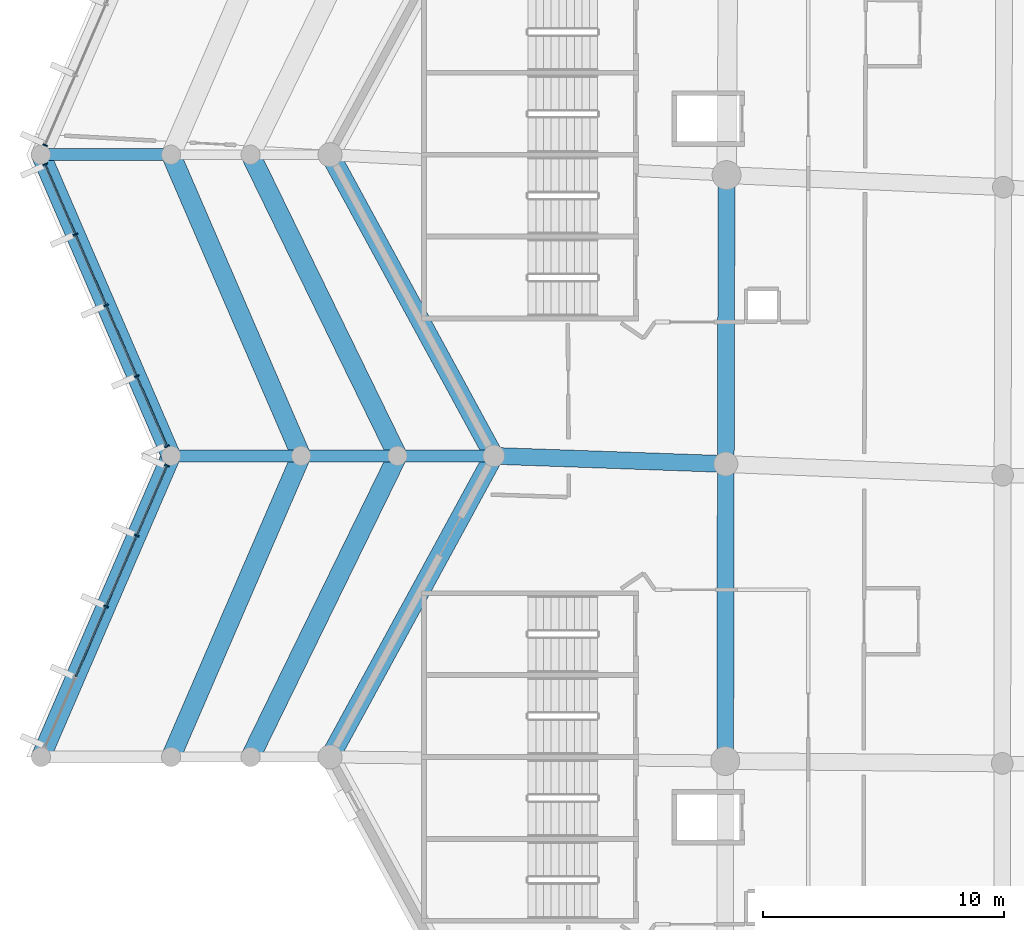
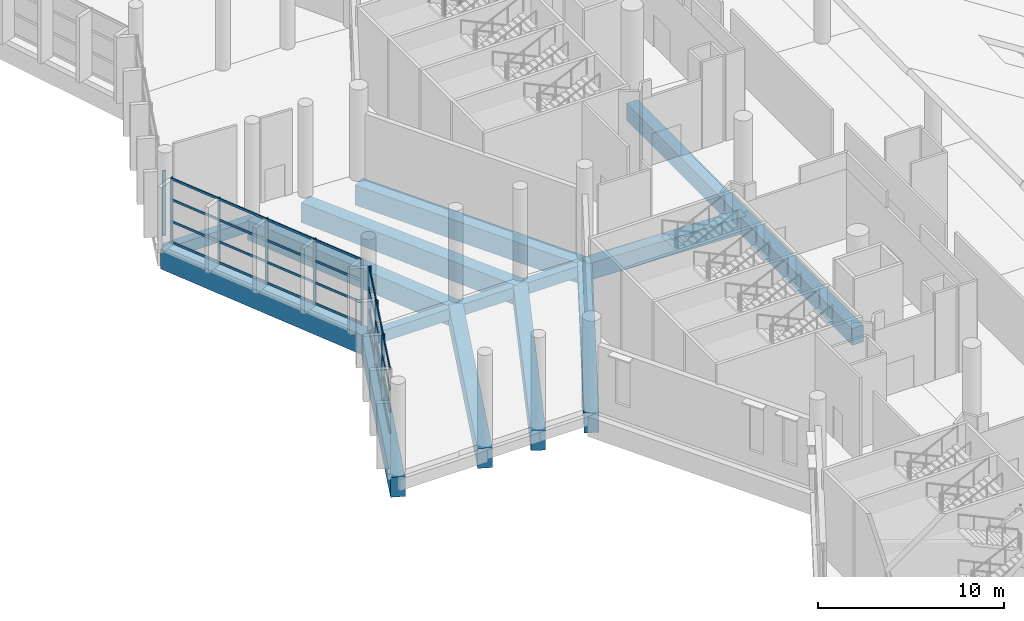
# One storey, part 53 of 249: 37 members, 15 beams, 3 elements without a shape of their own.
"""IFC4 building model written with IfcOpenShell, lengths in metres."""

from ifc_helpers import new_model, si_unit, direction, frame, origin, origin_2d, place, context, subcontext, project, spatial, rectangle, extrude, material, layer, layer_set, material_profile, profile_set, type_object, element, aggregate, save


model = new_model("IFC4")

# Units and contexts
model_context = context("Model", 3, precision=1e-05, world=origin(), true_north=direction((0.0, 1.0)))
body_context = subcontext(model_context, "Body", "Model", "MODEL_VIEW")
ifc_project = project(units=[si_unit("LENGTHUNIT", "METRE"), si_unit("AREAUNIT", "SQUARE_METRE"), si_unit("VOLUMEUNIT", "CUBIC_METRE"), si_unit("PLANEANGLEUNIT", "RADIAN"), si_unit("MASSUNIT", "GRAM", prefix="KILO")], contexts=[model_context])

# Site, building, storey
site_placement = place(None, origin())
site = spatial("IfcSite", under=ifc_project, at=site_placement, CompositionType="ELEMENT")
building_placement = place(site_placement, origin())
building = spatial("IfcBuilding", under=site, at=building_placement, Name="Meseta Stadium", CompositionType="ELEMENT")
storey_placement = place(building_placement, frame((0.0, 0.0, 12.0)))
storey = spatial("IfcBuildingStorey", under=building, at=storey_placement, Name="L02", CompositionType="ELEMENT", Elevation=12.0)

# Beams
ifc_material_1 = material(Name="Concrete C40/50", Category="concrete")
ifc_material_profile_1 = material_profile(ifc_material_1, rectangle(XDim=0.5, YDim=0.75, at=origin_2d()), Name="RC 500x750")
ifc_profile_set_1 = profile_set([ifc_material_profile_1], Name="Concrete C40/50")
beam_type_1 = type_object("IfcBeamType", Name="RC beam 500x750", PredefinedType="BEAM", material=ifc_profile_set_1)
beam_1_placement = place(storey_placement, frame((-108.0, 31.25, -0.72509765625), z_axis=(-1.0, 0.0, 0.0), x_axis=(0.0, -1.0, 0.0)))
element("IfcBeam", 1, at=beam_1_placement, inside=storey, type_object=beam_type_1, Name="L02 radial beam frame 30 line Q to O", PredefinedType="BEAM", context=body_context, shape_type="SweptSolid", body=[
    extrude(rectangle(XDim=0.5, YDim=0.75, at=origin_2d()), origin(), (0.0, 0.0, 1.0), 5.39990234375),
])
for number, where, z_axis, x_axis, name in (
    (2, (-94.60009765625, 18.75, -0.72509765625), (-1.0, 0.0, 0.0), (0.0, -1.0, 0.0), "L02 radial beam frame 31 line R to M"),
    (3, (-98.60009765625, 18.75, -0.72509765625), (-1.0, 0.0, 0.0), (0.0, -1.0, 0.0), "L02 radial beam frame 31 line M to Q"),
):
    element("IfcBeam", number, at=place(storey_placement, frame(where, z_axis=z_axis, x_axis=x_axis)), inside=storey, type_object=beam_type_1, Name=name, PredefinedType="BEAM", context=body_context, shape_type="SweptSolid", body=[
        extrude(rectangle(XDim=0.5, YDim=0.75, at=origin_2d()), origin(), (0.0, 0.0, 1.0), 4.0),
    ])
beam_2_placement = place(storey_placement, frame((-102.60009765625, 18.75, -0.72509765625), z_axis=(-1.0, 0.0, 0.0), x_axis=(0.0, -1.0, 0.0)))
element("IfcBeam", 4, at=beam_2_placement, inside=storey, type_object=beam_type_1, Name="L02 radial beam frame 31 line Q to O", PredefinedType="BEAM", context=body_context, shape_type="SweptSolid", body=[
    extrude(rectangle(XDim=0.5, YDim=0.75, at=origin_2d()), origin(), (0.0, 0.0, 1.0), 5.39990234375),
])
ifc_material_2 = material(Name="Concrete C40/50", Category="concrete")
ifc_material_profile_2 = material_profile(ifc_material_2, rectangle(XDim=0.699951171875, YDim=1.10009765625, at=origin_2d()), Name="RC 700x1100")
ifc_profile_set_2 = profile_set([ifc_material_profile_2], Name="Concrete C40/50")
beam_type_2 = type_object("IfcBeamType", Name="RC beam 700x1100", PredefinedType="BEAM", material=ifc_profile_set_2)
beam_3_placement = place(storey_placement, frame((-84.940673828125, 30.404052734375, -0.89990234375), z_axis=(-0.002707369213, -0.999996335069, 0.0), x_axis=(0.999996335069, -0.002707369213, 0.0)))
element("IfcBeam", 5, at=beam_3_placement, inside=storey, type_object=beam_type_2, Name="L02 ring beam frame 30 line P", PredefinedType="BEAM", context=body_context, shape_type="SweptSolid", body=[
    extrude(rectangle(XDim=0.699951171875, YDim=1.10009765625, at=origin_2d()), origin(), (0.0, 0.0, 1.0), 11.993408203125),
])
beam_4_placement = place(storey_placement, frame((-84.97314453125, 18.41064453125, -0.89990234375), z_axis=(-0.001980154927, -0.999998039491, 0.0), x_axis=(0.999998039491, -0.001980154927, 0.0)))
element("IfcBeam", 6, at=beam_4_placement, inside=storey, type_object=beam_type_2, Name="L02 ring beam frame 31 line P", PredefinedType="BEAM", context=body_context, shape_type="SweptSolid", body=[
    extrude(rectangle(XDim=0.699951171875, YDim=1.10009765625, at=origin_2d()), origin(), (0.0, 0.0, 1.0), 12.329345703125),
])
beam_5_placement = place(storey_placement, frame((-84.97314453125, 18.41064453125, -0.89990234375), z_axis=(-0.999379277506, 0.035228677108, 0.0), x_axis=(-0.035228677108, -0.999379277506, 0.0)))
element("IfcBeam", 7, at=beam_5_placement, inside=storey, type_object=beam_type_2, Name="L02 radial beam frame 31 line P to R", PredefinedType="BEAM", context=body_context, shape_type="SweptSolid", body=[
    extrude(rectangle(XDim=0.699951171875, YDim=1.10009765625, at=origin_2d()), origin(), (0.0, 0.0, 1.0), 9.6328125),
])
ifc_material_3 = material(Name="Concrete C40/50", Category="concrete")
ifc_material_profile_3 = material_profile(ifc_material_3, rectangle(XDim=0.800048828125, YDim=1.300048828125, at=origin_2d()), Name="RC 800x1300")
ifc_profile_set_3 = profile_set([ifc_material_profile_3], Name="Concrete C40/50")
beam_type_3 = type_object("IfcBeamType", Name="RC beam 800x1300", PredefinedType="BEAM", material=ifc_profile_set_3)
for number, where, z_axis, x_axis, name in (
    (8, (-101.39990234375, 31.25, -1.0), (0.47785649891, -0.878437912689, 0.0), (0.878437912689, 0.47785649891, 0.0), "L02 ring beam frame 30 line R"),
    (9, (-94.60009765625, 18.75, -1.0), (-0.47785649891, -0.878437912689, 0.0), (0.878437912689, -0.47785649891, 0.0), "L02 ring beam frame 31 line R"),
):
    element("IfcBeam", number, at=place(storey_placement, frame(where, z_axis=z_axis, x_axis=x_axis)), inside=storey, type_object=beam_type_3, Name=name, PredefinedType="BEAM", context=body_context, shape_type="SweptSolid", body=[
        extrude(rectangle(XDim=0.800048828125, YDim=1.300048828125, at=origin_2d()), origin(), (0.0, 0.0, 1.0), 14.229736328125),
    ])
beam_6_placement = place(storey_placement, frame((-104.699951171875, 31.25, -1.0), z_axis=(0.438556770405, -0.898703487882, 0.0), x_axis=(0.898703487882, 0.438556770405, 0.0)))
element("IfcBeam", 10, at=beam_6_placement, inside=storey, type_object=beam_type_3, Name="L02 ring beam frame 30 line M", PredefinedType="BEAM", context=body_context, shape_type="SweptSolid", body=[
    extrude(rectangle(XDim=0.800048828125, YDim=1.300048828125, at=origin_2d()), origin(), (0.0, 0.0, 1.0), 13.908935546875),
])
for number, where, z_axis, x_axis, name in (
    (11, (-108.0, 31.25, -1.0), (0.396570645327, -0.918004206562, 0.0), (0.918004206562, 0.396570645327, 0.0), "L02 ring beam frame 30 line Q"),
    (12, (-113.39990234375, 31.25, -1.0), (0.396570645327, -0.918004206562, 0.0), (0.918004206562, 0.396570645327, 0.0), "L02 ring beam frame 30 line O"),
):
    element("IfcBeam", number, at=place(storey_placement, frame(where, z_axis=z_axis, x_axis=x_axis)), inside=storey, type_object=beam_type_3, Name=name, PredefinedType="BEAM", context=body_context, shape_type="SweptSolid", body=[
        extrude(rectangle(XDim=0.800048828125, YDim=1.300048828125, at=origin_2d()), origin(), (0.0, 0.0, 1.0), 13.616455078125),
    ])
beam_7_placement = place(storey_placement, frame((-98.60009765625, 18.75, -1.0), z_axis=(-0.438556770405, -0.898703487882, 0.0), x_axis=(0.898703487882, -0.438556770405, 0.0)))
element("IfcBeam", 13, at=beam_7_placement, inside=storey, type_object=beam_type_3, Name="L02 ring beam frame 31 line M", PredefinedType="BEAM", context=body_context, shape_type="SweptSolid", body=[
    extrude(rectangle(XDim=0.800048828125, YDim=1.300048828125, at=origin_2d()), origin(), (0.0, 0.0, 1.0), 13.908935546875),
])
for number, where, z_axis, x_axis, name in (
    (14, (-102.60009765625, 18.75, -1.0), (-0.396570645327, -0.918004206562, 0.0), (0.918004206562, -0.396570645327, 0.0), "L02 ring beam frame 31 line Q"),
    (15, (-108.0, 18.75, -1.0), (-0.396570645327, -0.918004206562, 0.0), (0.918004206562, -0.396570645327, 0.0), "L02 ring beam frame 31 line O"),
):
    element("IfcBeam", number, at=place(storey_placement, frame(where, z_axis=z_axis, x_axis=x_axis)), inside=storey, type_object=beam_type_3, Name=name, PredefinedType="BEAM", context=body_context, shape_type="SweptSolid", body=[
        extrude(rectangle(XDim=0.800048828125, YDim=1.300048828125, at=origin_2d()), origin(), (0.0, 0.0, 1.0), 13.616455078125),
    ])

# Curtain wall, member
ifc_material_4 = material(Name="Aluminium", Category="aluminium")
ifc_layer = layer(ifc_material_4, 0.199951171875)
ifc_layer_set = layer_set([ifc_layer], Name="Ring shopfront curtain wall")
curtain_wall_type = type_object("IfcCurtainWallType", Name="Ring shopfront curtain wall", PredefinedType="NOTDEFINED", material=ifc_layer_set)
curtain_wall_1_placement = place(storey_placement, origin())
curtain_wall_1 = element("IfcCurtainWall", 16, at=curtain_wall_1_placement, inside=storey, type_object=curtain_wall_type, Name="Ring glazing L02 F29", PredefinedType="NOTDEFINED")
ifc_material_5 = material(Name="Aluminium", Category="aluminium")
ifc_material_profile_4 = material_profile(ifc_material_5, rectangle(XDim=0.199951171875, YDim=0.06005859375, at=origin_2d()), Name="CW 200x60")
ifc_profile_set_4 = profile_set([ifc_material_profile_4], Name="Aluminium")
member_type_1 = type_object("IfcMemberType", Name="Ring CW mullion 60x200", PredefinedType="MULLION", material=ifc_profile_set_4)
member_1_placement = place(storey_placement, frame((-113.2294921875, 31.644775390625, 0.0), z_axis=(0.0, 0.0, 1.0), x_axis=(0.91799986854, -0.396580687073, 0.0)))
member_1 = element("IfcMember", 17, at=member_1_placement, type_object=member_type_1, Name="CWR1 mullion 5", PredefinedType="MULLION", context=body_context, shape_type="SweptSolid", body=[
    extrude(rectangle(XDim=0.199951171875, YDim=0.06005859375, at=origin_2d()), origin(), (0.0, 0.0, 1.0), 4.300048828125),
])
aggregate(curtain_wall_1, [member_1])

# Curtain wall, members
curtain_wall_2_placement = place(storey_placement, origin())
curtain_wall_2 = element("IfcCurtainWall", 18, at=curtain_wall_2_placement, inside=storey, type_object=curtain_wall_type, Name="Ring glazing L02 F30", PredefinedType="NOTDEFINED")
member_2_placement = place(storey_placement, frame((-113.2294921875, 30.855224609375, 0.0), z_axis=(0.0, 0.0, 1.0), x_axis=(0.91799986854, 0.396580687073, 0.0)))
member_2 = element("IfcMember", 19, at=member_2_placement, type_object=member_type_1, Name="CWR1 mullion 1", PredefinedType="MULLION", context=body_context, shape_type="SweptSolid", body=[
    extrude(rectangle(XDim=0.199951171875, YDim=0.06005859375, at=origin_2d()), origin(), (0.0, 0.0, 1.0), 4.300048828125),
])
member_3_placement = place(storey_placement, frame((-111.970703125, 27.94140625, 0.0), z_axis=(0.0, 0.0, 1.0), x_axis=(0.91799986854, 0.396580687073, 0.0)))
member_3 = element("IfcMember", 20, at=member_3_placement, type_object=member_type_1, Name="CWR1 mullion 2", PredefinedType="MULLION", context=body_context, shape_type="SweptSolid", body=[
    extrude(rectangle(XDim=0.199951171875, YDim=0.06005859375, at=origin_2d()), origin(), (0.0, 0.0, 1.0), 4.300048828125),
])
member_4_placement = place(storey_placement, frame((-110.699951171875, 25.0, 0.0), z_axis=(0.0, 0.0, 1.0), x_axis=(0.91799986854, 0.396580687073, 0.0)))
member_4 = element("IfcMember", 21, at=member_4_placement, type_object=member_type_1, Name="CWR1 mullion 3", PredefinedType="MULLION", context=body_context, shape_type="SweptSolid", body=[
    extrude(rectangle(XDim=0.199951171875, YDim=0.06005859375, at=origin_2d()), origin(), (0.0, 0.0, 1.0), 4.300048828125),
])
member_5_placement = place(storey_placement, frame((-109.42919921875, 22.05859375, 0.0), z_axis=(0.0, 0.0, 1.0), x_axis=(0.91799986854, 0.396580687073, 0.0)))
member_5 = element("IfcMember", 22, at=member_5_placement, type_object=member_type_1, Name="CWR1 mullion 4", PredefinedType="MULLION", context=body_context, shape_type="SweptSolid", body=[
    extrude(rectangle(XDim=0.199951171875, YDim=0.06005859375, at=origin_2d()), origin(), (0.0, 0.0, 1.0), 4.300048828125),
])
member_6_placement = place(storey_placement, frame((-108.17041015625, 19.144775390625, 0.0), z_axis=(0.0, 0.0, 1.0), x_axis=(0.91799986854, 0.396580687073, 0.0)))
member_6 = element("IfcMember", 23, at=member_6_placement, type_object=member_type_1, Name="CWR1 mullion 5", PredefinedType="MULLION", context=body_context, shape_type="SweptSolid", body=[
    extrude(rectangle(XDim=0.199951171875, YDim=0.06005859375, at=origin_2d()), origin(), (0.0, 0.0, 1.0), 4.300048828125),
])

curtain_wall_3_placement = place(storey_placement, origin())
curtain_wall_3 = element("IfcCurtainWall", 24, at=curtain_wall_3_placement, inside=storey, type_object=curtain_wall_type, Name="Ring glazing L02 F31", PredefinedType="NOTDEFINED")
member_7_placement = place(storey_placement, frame((-108.17041015625, 18.355224609375, 0.0), z_axis=(0.0, 0.0, 1.0), x_axis=(0.91799986854, -0.396580687073, 0.0)))
member_7 = element("IfcMember", 25, at=member_7_placement, type_object=member_type_1, Name="CWR1 mullion 1", PredefinedType="MULLION", context=body_context, shape_type="SweptSolid", body=[
    extrude(rectangle(XDim=0.199951171875, YDim=0.06005859375, at=origin_2d()), origin(), (0.0, 0.0, 1.0), 4.300048828125),
])
member_8_placement = place(storey_placement, frame((-109.42919921875, 15.44140625, 0.0), z_axis=(0.0, 0.0, 1.0), x_axis=(0.91799986854, -0.396580687073, 0.0)))
member_8 = element("IfcMember", 26, at=member_8_placement, type_object=member_type_1, Name="CWR1 mullion 2", PredefinedType="MULLION", context=body_context, shape_type="SweptSolid", body=[
    extrude(rectangle(XDim=0.199951171875, YDim=0.06005859375, at=origin_2d()), origin(), (0.0, 0.0, 1.0), 4.300048828125),
])
member_9_placement = place(storey_placement, frame((-110.699951171875, 12.5, 0.0), z_axis=(0.0, 0.0, 1.0), x_axis=(0.91799986854, -0.396580687073, 0.0)))
member_9 = element("IfcMember", 27, at=member_9_placement, type_object=member_type_1, Name="CWR1 mullion 3", PredefinedType="MULLION", context=body_context, shape_type="SweptSolid", body=[
    extrude(rectangle(XDim=0.199951171875, YDim=0.06005859375, at=origin_2d()), origin(), (0.0, 0.0, 1.0), 4.300048828125),
])

# Member
ifc_material_6 = material(Name="Aluminium", Category="aluminium")
ifc_material_profile_5 = material_profile(ifc_material_6, rectangle(XDim=0.06005859375, YDim=0.14990234375, at=origin_2d()), Name="CW 60x150")
ifc_profile_set_5 = profile_set([ifc_material_profile_5], Name="Aluminium")
member_type_2 = type_object("IfcMemberType", Name="Ring CW transom 60x150", PredefinedType="USERDEFINED", material=ifc_profile_set_5)
member_10_placement = place(storey_placement, frame((-113.217529296875, 30.82763671875, 0.074951171875), z_axis=(0.396557660608, -0.91800981575, 0.0), x_axis=(0.91800981575, 0.396557660608, 0.0)))
member_10 = element("IfcMember", 28, at=member_10_placement, type_object=member_type_2, Name="CWR1 transom 1.1", ObjectType="TRANSOM", PredefinedType="USERDEFINED", context=body_context, shape_type="SweptSolid", body=[
    extrude(rectangle(XDim=0.06005859375, YDim=0.14990234375, at=origin_2d()), origin(), (0.0, 0.0, 1.0), 3.114013671875),
])

member_11_placement = place(storey_placement, frame((-113.217529296875, 30.82763671875, 1.433349609375), z_axis=(0.396557660608, -0.91800981575, 0.0), x_axis=(0.91800981575, 0.396557660608, 0.0)))
member_11 = element("IfcMember", 29, at=member_11_placement, type_object=member_type_2, Name="CWR1 transom 1.2", ObjectType="TRANSOM", PredefinedType="USERDEFINED", context=body_context, shape_type="SweptSolid", body=[
    extrude(rectangle(XDim=0.06005859375, YDim=0.14990234375, at=origin_2d()), origin(), (0.0, 0.0, 1.0), 3.114013671875),
])

member_12_placement = place(storey_placement, frame((-113.217529296875, 30.82763671875, 2.86669921875), z_axis=(0.396557660608, -0.91800981575, 0.0), x_axis=(0.91800981575, 0.396557660608, 0.0)))
member_12 = element("IfcMember", 30, at=member_12_placement, type_object=member_type_2, Name="CWR1 transom 1.3", ObjectType="TRANSOM", PredefinedType="USERDEFINED", context=body_context, shape_type="SweptSolid", body=[
    extrude(rectangle(XDim=0.06005859375, YDim=0.14990234375, at=origin_2d()), origin(), (0.0, 0.0, 1.0), 3.114013671875),
])

member_13_placement = place(storey_placement, frame((-113.217529296875, 30.82763671875, 4.22509765625), z_axis=(0.396557660608, -0.91800981575, 0.0), x_axis=(0.91800981575, 0.396557660608, 0.0)))
member_13 = element("IfcMember", 31, at=member_13_placement, type_object=member_type_2, Name="CWR1 transom 1.4", ObjectType="TRANSOM", PredefinedType="USERDEFINED", context=body_context, shape_type="SweptSolid", body=[
    extrude(rectangle(XDim=0.06005859375, YDim=0.14990234375, at=origin_2d()), origin(), (0.0, 0.0, 1.0), 3.114013671875),
])

member_14_placement = place(storey_placement, frame((-111.958740234375, 27.913818359375, 0.074951171875), z_axis=(0.396569883564, -0.918004535637, 0.0), x_axis=(0.918004535637, 0.396569883564, 0.0)))
member_14 = element("IfcMember", 32, at=member_14_placement, type_object=member_type_2, Name="CWR1 transom 2.1", ObjectType="TRANSOM", PredefinedType="USERDEFINED", context=body_context, shape_type="SweptSolid", body=[
    extrude(rectangle(XDim=0.06005859375, YDim=0.14990234375, at=origin_2d()), origin(), (0.0, 0.0, 1.0), 3.14404296875),
])

member_15_placement = place(storey_placement, frame((-111.958740234375, 27.913818359375, 1.433349609375), z_axis=(0.396569883564, -0.918004535637, 0.0), x_axis=(0.918004535637, 0.396569883564, 0.0)))
member_15 = element("IfcMember", 33, at=member_15_placement, type_object=member_type_2, Name="CWR1 transom 2.2", ObjectType="TRANSOM", PredefinedType="USERDEFINED", context=body_context, shape_type="SweptSolid", body=[
    extrude(rectangle(XDim=0.06005859375, YDim=0.14990234375, at=origin_2d()), origin(), (0.0, 0.0, 1.0), 3.14404296875),
])

member_16_placement = place(storey_placement, frame((-111.958740234375, 27.913818359375, 2.86669921875), z_axis=(0.396569883564, -0.918004535637, 0.0), x_axis=(0.918004535637, 0.396569883564, 0.0)))
member_16 = element("IfcMember", 34, at=member_16_placement, type_object=member_type_2, Name="CWR1 transom 2.3", ObjectType="TRANSOM", PredefinedType="USERDEFINED", context=body_context, shape_type="SweptSolid", body=[
    extrude(rectangle(XDim=0.06005859375, YDim=0.14990234375, at=origin_2d()), origin(), (0.0, 0.0, 1.0), 3.14404296875),
])

member_17_placement = place(storey_placement, frame((-111.958740234375, 27.913818359375, 4.22509765625), z_axis=(0.396569883564, -0.918004535637, 0.0), x_axis=(0.918004535637, 0.396569883564, 0.0)))
member_17 = element("IfcMember", 35, at=member_17_placement, type_object=member_type_2, Name="CWR1 transom 2.4", ObjectType="TRANSOM", PredefinedType="USERDEFINED", context=body_context, shape_type="SweptSolid", body=[
    extrude(rectangle(XDim=0.06005859375, YDim=0.14990234375, at=origin_2d()), origin(), (0.0, 0.0, 1.0), 3.14404296875),
])

member_18_placement = place(storey_placement, frame((-110.68798828125, 24.972412109375, 0.074951171875), z_axis=(0.396569883564, -0.918004535637, 0.0), x_axis=(0.918004535637, 0.396569883564, 0.0)))
member_18 = element("IfcMember", 36, at=member_18_placement, type_object=member_type_2, Name="CWR1 transom 3.1", ObjectType="TRANSOM", PredefinedType="USERDEFINED", context=body_context, shape_type="SweptSolid", body=[
    extrude(rectangle(XDim=0.06005859375, YDim=0.14990234375, at=origin_2d()), origin(), (0.0, 0.0, 1.0), 3.14404296875),
])

member_19_placement = place(storey_placement, frame((-110.68798828125, 24.972412109375, 1.433349609375), z_axis=(0.396569883564, -0.918004535637, 0.0), x_axis=(0.918004535637, 0.396569883564, 0.0)))
member_19 = element("IfcMember", 37, at=member_19_placement, type_object=member_type_2, Name="CWR1 transom 3.2", ObjectType="TRANSOM", PredefinedType="USERDEFINED", context=body_context, shape_type="SweptSolid", body=[
    extrude(rectangle(XDim=0.06005859375, YDim=0.14990234375, at=origin_2d()), origin(), (0.0, 0.0, 1.0), 3.14404296875),
])

member_20_placement = place(storey_placement, frame((-110.68798828125, 24.972412109375, 2.86669921875), z_axis=(0.396569883564, -0.918004535637, 0.0), x_axis=(0.918004535637, 0.396569883564, 0.0)))
member_20 = element("IfcMember", 38, at=member_20_placement, type_object=member_type_2, Name="CWR1 transom 3.3", ObjectType="TRANSOM", PredefinedType="USERDEFINED", context=body_context, shape_type="SweptSolid", body=[
    extrude(rectangle(XDim=0.06005859375, YDim=0.14990234375, at=origin_2d()), origin(), (0.0, 0.0, 1.0), 3.14404296875),
])

member_21_placement = place(storey_placement, frame((-110.68798828125, 24.972412109375, 4.22509765625), z_axis=(0.396569883564, -0.918004535637, 0.0), x_axis=(0.918004535637, 0.396569883564, 0.0)))
member_21 = element("IfcMember", 39, at=member_21_placement, type_object=member_type_2, Name="CWR1 transom 3.4", ObjectType="TRANSOM", PredefinedType="USERDEFINED", context=body_context, shape_type="SweptSolid", body=[
    extrude(rectangle(XDim=0.06005859375, YDim=0.14990234375, at=origin_2d()), origin(), (0.0, 0.0, 1.0), 3.14404296875),
])

member_22_placement = place(storey_placement, frame((-109.41748046875, 22.031005859375, 0.074951171875), z_axis=(0.396623730244, -0.917981272471, 0.0), x_axis=(0.917981272471, 0.396623730244, 0.0)))
member_22 = element("IfcMember", 40, at=member_22_placement, type_object=member_type_2, Name="CWR1 transom 4.1", ObjectType="TRANSOM", PredefinedType="USERDEFINED", context=body_context, shape_type="SweptSolid", body=[
    extrude(rectangle(XDim=0.06005859375, YDim=0.14990234375, at=origin_2d()), origin(), (0.0, 0.0, 1.0), 3.114013671875),
])

member_23_placement = place(storey_placement, frame((-109.41748046875, 22.031005859375, 1.433349609375), z_axis=(0.396623730244, -0.917981272471, 0.0), x_axis=(0.917981272471, 0.396623730244, 0.0)))
member_23 = element("IfcMember", 41, at=member_23_placement, type_object=member_type_2, Name="CWR1 transom 4.2", ObjectType="TRANSOM", PredefinedType="USERDEFINED", context=body_context, shape_type="SweptSolid", body=[
    extrude(rectangle(XDim=0.06005859375, YDim=0.14990234375, at=origin_2d()), origin(), (0.0, 0.0, 1.0), 3.114013671875),
])

member_24_placement = place(storey_placement, frame((-109.41748046875, 22.031005859375, 2.86669921875), z_axis=(0.396623730244, -0.917981272471, 0.0), x_axis=(0.917981272471, 0.396623730244, 0.0)))
member_24 = element("IfcMember", 42, at=member_24_placement, type_object=member_type_2, Name="CWR1 transom 4.3", ObjectType="TRANSOM", PredefinedType="USERDEFINED", context=body_context, shape_type="SweptSolid", body=[
    extrude(rectangle(XDim=0.06005859375, YDim=0.14990234375, at=origin_2d()), origin(), (0.0, 0.0, 1.0), 3.114013671875),
])

member_25_placement = place(storey_placement, frame((-109.41748046875, 22.031005859375, 4.22509765625), z_axis=(0.396623730244, -0.917981272471, 0.0), x_axis=(0.917981272471, 0.396623730244, 0.0)))
member_25 = element("IfcMember", 43, at=member_25_placement, type_object=member_type_2, Name="CWR1 transom 4.4", ObjectType="TRANSOM", PredefinedType="USERDEFINED", context=body_context, shape_type="SweptSolid", body=[
    extrude(rectangle(XDim=0.06005859375, YDim=0.14990234375, at=origin_2d()), origin(), (0.0, 0.0, 1.0), 3.114013671875),
])

aggregate(curtain_wall_2, [member_2, member_3, member_4, member_5, member_6, member_10, member_11, member_12, member_13, member_14, member_15, member_16, member_17, member_18, member_19, member_20, member_21, member_22, member_23, member_24, member_25])

member_26_placement = place(storey_placement, frame((-108.182373046875, 18.32763671875, 0.074951171875), z_axis=(-0.396623730244, -0.917981272471, 0.0), x_axis=(0.917981272471, -0.396623730244, 0.0)))
member_26 = element("IfcMember", 44, at=member_26_placement, type_object=member_type_2, Name="CWR1 transom 1.1", ObjectType="TRANSOM", PredefinedType="USERDEFINED", context=body_context, shape_type="SweptSolid", body=[
    extrude(rectangle(XDim=0.06005859375, YDim=0.14990234375, at=origin_2d()), origin(), (0.0, 0.0, 1.0), 3.114013671875),
])

member_27_placement = place(storey_placement, frame((-108.182373046875, 18.32763671875, 1.433349609375), z_axis=(-0.396623730244, -0.917981272471, 0.0), x_axis=(0.917981272471, -0.396623730244, 0.0)))
member_27 = element("IfcMember", 45, at=member_27_placement, type_object=member_type_2, Name="CWR1 transom 1.2", ObjectType="TRANSOM", PredefinedType="USERDEFINED", context=body_context, shape_type="SweptSolid", body=[
    extrude(rectangle(XDim=0.06005859375, YDim=0.14990234375, at=origin_2d()), origin(), (0.0, 0.0, 1.0), 3.114013671875),
])

member_28_placement = place(storey_placement, frame((-108.182373046875, 18.32763671875, 2.86669921875), z_axis=(-0.396623730244, -0.917981272471, 0.0), x_axis=(0.917981272471, -0.396623730244, 0.0)))
member_28 = element("IfcMember", 46, at=member_28_placement, type_object=member_type_2, Name="CWR1 transom 1.3", ObjectType="TRANSOM", PredefinedType="USERDEFINED", context=body_context, shape_type="SweptSolid", body=[
    extrude(rectangle(XDim=0.06005859375, YDim=0.14990234375, at=origin_2d()), origin(), (0.0, 0.0, 1.0), 3.114013671875),
])

member_29_placement = place(storey_placement, frame((-108.182373046875, 18.32763671875, 4.22509765625), z_axis=(-0.396623730244, -0.917981272471, 0.0), x_axis=(0.917981272471, -0.396623730244, 0.0)))
member_29 = element("IfcMember", 47, at=member_29_placement, type_object=member_type_2, Name="CWR1 transom 1.4", ObjectType="TRANSOM", PredefinedType="USERDEFINED", context=body_context, shape_type="SweptSolid", body=[
    extrude(rectangle(XDim=0.06005859375, YDim=0.14990234375, at=origin_2d()), origin(), (0.0, 0.0, 1.0), 3.114013671875),
])

member_30_placement = place(storey_placement, frame((-109.441162109375, 15.413818359375, 0.074951171875), z_axis=(-0.396569883564, -0.918004535637, 0.0), x_axis=(0.918004535637, -0.396569883564, 0.0)))
member_30 = element("IfcMember", 48, at=member_30_placement, type_object=member_type_2, Name="CWR1 transom 2.1", ObjectType="TRANSOM", PredefinedType="USERDEFINED", context=body_context, shape_type="SweptSolid", body=[
    extrude(rectangle(XDim=0.06005859375, YDim=0.14990234375, at=origin_2d()), origin(), (0.0, 0.0, 1.0), 3.14404296875),
])

member_31_placement = place(storey_placement, frame((-109.441162109375, 15.413818359375, 1.433349609375), z_axis=(-0.396569883564, -0.918004535637, 0.0), x_axis=(0.918004535637, -0.396569883564, 0.0)))
member_31 = element("IfcMember", 49, at=member_31_placement, type_object=member_type_2, Name="CWR1 transom 2.2", ObjectType="TRANSOM", PredefinedType="USERDEFINED", context=body_context, shape_type="SweptSolid", body=[
    extrude(rectangle(XDim=0.06005859375, YDim=0.14990234375, at=origin_2d()), origin(), (0.0, 0.0, 1.0), 3.14404296875),
])

member_32_placement = place(storey_placement, frame((-109.441162109375, 15.413818359375, 2.86669921875), z_axis=(-0.396569883564, -0.918004535637, 0.0), x_axis=(0.918004535637, -0.396569883564, 0.0)))
member_32 = element("IfcMember", 50, at=member_32_placement, type_object=member_type_2, Name="CWR1 transom 2.3", ObjectType="TRANSOM", PredefinedType="USERDEFINED", context=body_context, shape_type="SweptSolid", body=[
    extrude(rectangle(XDim=0.06005859375, YDim=0.14990234375, at=origin_2d()), origin(), (0.0, 0.0, 1.0), 3.14404296875),
])

member_33_placement = place(storey_placement, frame((-109.441162109375, 15.413818359375, 4.22509765625), z_axis=(-0.396569883564, -0.918004535637, 0.0), x_axis=(0.918004535637, -0.396569883564, 0.0)))
member_33 = element("IfcMember", 51, at=member_33_placement, type_object=member_type_2, Name="CWR1 transom 2.4", ObjectType="TRANSOM", PredefinedType="USERDEFINED", context=body_context, shape_type="SweptSolid", body=[
    extrude(rectangle(XDim=0.06005859375, YDim=0.14990234375, at=origin_2d()), origin(), (0.0, 0.0, 1.0), 3.14404296875),
])

member_34_placement = place(storey_placement, frame((-110.7119140625, 12.472412109375, 0.074951171875), z_axis=(-0.396569883564, -0.918004535637, 0.0), x_axis=(0.918004535637, -0.396569883564, 0.0)))
member_34 = element("IfcMember", 52, at=member_34_placement, type_object=member_type_2, Name="CWR1 transom 3.1", ObjectType="TRANSOM", PredefinedType="USERDEFINED", context=body_context, shape_type="SweptSolid", body=[
    extrude(rectangle(XDim=0.06005859375, YDim=0.14990234375, at=origin_2d()), origin(), (0.0, 0.0, 1.0), 3.14404296875),
])

member_35_placement = place(storey_placement, frame((-110.7119140625, 12.472412109375, 1.433349609375), z_axis=(-0.396569883564, -0.918004535637, 0.0), x_axis=(0.918004535637, -0.396569883564, 0.0)))
member_35 = element("IfcMember", 53, at=member_35_placement, type_object=member_type_2, Name="CWR1 transom 3.2", ObjectType="TRANSOM", PredefinedType="USERDEFINED", context=body_context, shape_type="SweptSolid", body=[
    extrude(rectangle(XDim=0.06005859375, YDim=0.14990234375, at=origin_2d()), origin(), (0.0, 0.0, 1.0), 3.14404296875),
])

member_36_placement = place(storey_placement, frame((-110.7119140625, 12.472412109375, 2.86669921875), z_axis=(-0.396569883564, -0.918004535637, 0.0), x_axis=(0.918004535637, -0.396569883564, 0.0)))
member_36 = element("IfcMember", 54, at=member_36_placement, type_object=member_type_2, Name="CWR1 transom 3.3", ObjectType="TRANSOM", PredefinedType="USERDEFINED", context=body_context, shape_type="SweptSolid", body=[
    extrude(rectangle(XDim=0.06005859375, YDim=0.14990234375, at=origin_2d()), origin(), (0.0, 0.0, 1.0), 3.14404296875),
])

member_37_placement = place(storey_placement, frame((-110.7119140625, 12.472412109375, 4.22509765625), z_axis=(-0.396569883564, -0.918004535637, 0.0), x_axis=(0.918004535637, -0.396569883564, 0.0)))
member_37 = element("IfcMember", 55, at=member_37_placement, type_object=member_type_2, Name="CWR1 transom 3.4", ObjectType="TRANSOM", PredefinedType="USERDEFINED", context=body_context, shape_type="SweptSolid", body=[
    extrude(rectangle(XDim=0.06005859375, YDim=0.14990234375, at=origin_2d()), origin(), (0.0, 0.0, 1.0), 3.14404296875),
])

aggregate(curtain_wall_3, [member_7, member_8, member_9, member_26, member_27, member_28, member_29, member_30, member_31, member_32, member_33, member_34, member_35, member_36, member_37])

save(model, "model.ifc")
